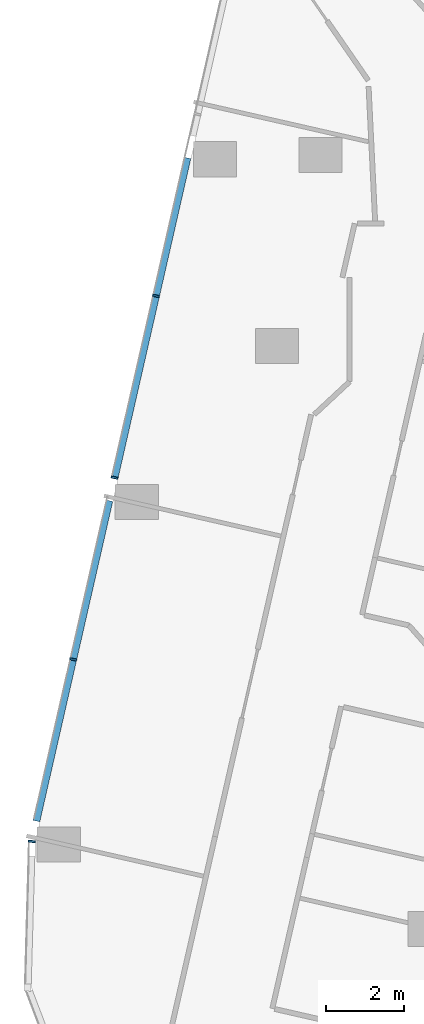
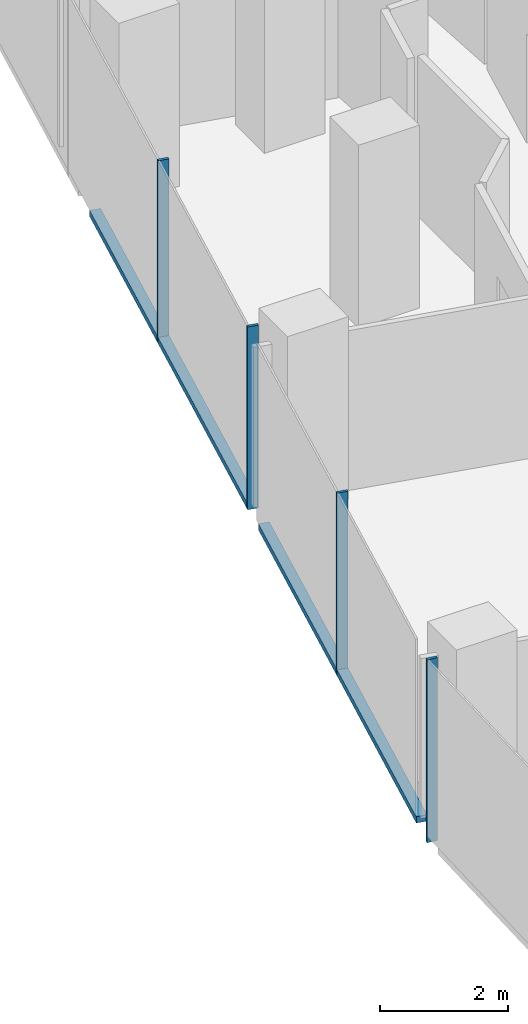
# One storey, part 4 of 23: 6 members, 1 element without a shape of its own.
"""IFC4 building model written with IfcOpenShell, lengths in metres."""

import ifcopenshell
import ifcopenshell.guid

model = None  # the IFC model being written
_history = None  # IfcOwnerHistory: only IFC2X3 demands one
_inside = {}  # id of a spatial element -> (the spatial element, [elements in it])
_under = {}  # id of a project, library or spatial element -> (it, [spatial elements below it])
_declared = {}  # id of a project -> (the project, [libraries it declares])
_typed = {}  # id of a type object -> (the type object, [elements of that type])
_made_of = {}  # id of a material, layer set ... -> (it, [elements and type objects made of it])


def new_model(schema):
    """Start an empty IFC model of exactly this schema.

    Asked for "IFC4X3", IfcOpenShell would pick the latest addendum, in which some entities
    have other attributes; the version numbers below select the first issue.
    IFC2X3 requires an IfcOwnerHistory on every rooted entity: one is made here for all.
    """
    global model, _history
    if schema == "IFC4X3":
        model = ifcopenshell.file(schema_version=(4, 3, 0, 0))
    else:
        model = ifcopenshell.file(schema=schema)
    _inside.clear()
    _under.clear()
    _declared.clear()
    _typed.clear()
    _made_of.clear()
    _history = None
    if model.schema == "IFC2X3":
        org = make("IfcOrganization", Name="unknown")
        user = make(
            "IfcPersonAndOrganization",
            ThePerson=make("IfcPerson", FamilyName="unknown"),
            TheOrganization=org,
        )
        app = make(
            "IfcApplication",
            ApplicationDeveloper=org,
            Version="unknown",
            ApplicationFullName="unknown",
            ApplicationIdentifier="unknown",
        )
        _history = make(
            "IfcOwnerHistory",
            OwningUser=user,
            OwningApplication=app,
            ChangeAction="ADDED",
            CreationDate=0,
        )
    return model


def make(cls, **values):
    """One entity of the class cls with the attributes given. An attribute that is None is left unset."""
    return model.create_entity(
        cls, **{name: value for name, value in values.items() if value is not None}
    )


def rooted(cls, **values):
    """An entity with a GlobalId (a new one), such as an element, a storey or a relation."""
    return make(cls, GlobalId=ifcopenshell.guid.new(), OwnerHistory=_history, **values)


def si_unit(unit_type, name, prefix=None):
    """IfcSIUnit, for example si_unit("LENGTHUNIT", "METRE", prefix="MILLI")."""
    return make("IfcSIUnit", UnitType=unit_type, Prefix=prefix, Name=name)


def assignment(units):
    """IfcUnitAssignment: the units of a project."""
    return None if units is None else make("IfcUnitAssignment", Units=units)


def point(xyz):
    """IfcCartesianPoint."""
    return None if xyz is None else make("IfcCartesianPoint", Coordinates=xyz)


def direction(xyz):
    """IfcDirection."""
    return None if xyz is None else make("IfcDirection", DirectionRatios=xyz)


def frame(location, z_axis=None, x_axis=None):
    """IfcAxis2Placement3D, a coordinate frame: its origin and axes. An axis left out is left unset."""
    return make(
        "IfcAxis2Placement3D",
        Location=point(location),
        Axis=direction(z_axis),
        RefDirection=direction(x_axis),
    )


def frame_2d(location, x_axis=None):
    """IfcAxis2Placement2D, a coordinate frame in the plane: its origin and x axis."""
    return make(
        "IfcAxis2Placement2D", Location=point(location), RefDirection=direction(x_axis)
    )


def origin():
    """The frame at (0, 0, 0) with its axes left unset."""
    return frame((0.0, 0.0, 0.0))


def origin_2d():
    """The frame at (0, 0) in the plane with its x axis left unset."""
    return frame_2d((0.0, 0.0))


def place(relative_to, where):
    """IfcLocalPlacement: puts the frame where relative to a parent placement (None: the world)."""
    return make(
        "IfcLocalPlacement", PlacementRelTo=relative_to, RelativePlacement=where
    )


def context(
    kind, dimensions, precision=None, world=None, true_north=None, identifier=None
):
    """IfcGeometricRepresentationContext, for example the 3D "Model" context."""
    return make(
        "IfcGeometricRepresentationContext",
        ContextIdentifier=identifier,
        ContextType=kind,
        CoordinateSpaceDimension=dimensions,
        Precision=precision,
        WorldCoordinateSystem=world,
        TrueNorth=true_north,
    )


def subcontext(parent, identifier, kind, view, scale=None):
    """IfcGeometricRepresentationSubContext, for example "Body" below "Model"."""
    return make(
        "IfcGeometricRepresentationSubContext",
        ContextIdentifier=identifier,
        ContextType=kind,
        ParentContext=parent,
        TargetScale=scale,
        TargetView=view,
    )


def project(units=None, contexts=None):
    """IfcProject with its units and contexts."""
    return rooted(
        "IfcProject",
        Name="project",
        RepresentationContexts=contexts,
        UnitsInContext=assignment(units),
    )


def spatial(cls, under=None, at=None, **own):
    """A site, building, storey or space (cls), placed at a placement, below another one or the project."""
    s = rooted(cls, ObjectPlacement=at, **own)
    if under is not None:
        _under.setdefault(under.id(), (under, []))[1].append(s)
    return s


def profile(cls, at=None, kind="AREA", **sizes):
    """A parametric profile (cls). Its sizes go by their IFC names, for example OverallWidth=200.0."""
    return make(cls, ProfileType=kind, Position=at, **sizes)


def rectangle(**sizes):
    """IfcRectangleProfileDef."""
    return profile("IfcRectangleProfileDef", **sizes)


def extrude(swept, where, along, depth):
    """IfcExtrudedAreaSolid: the profile swept, set in the frame where, extruded along a direction by depth."""
    return make(
        "IfcExtrudedAreaSolid",
        SweptArea=swept,
        Position=where,
        ExtrudedDirection=direction(along),
        Depth=depth,
    )


def shape(context_of_items, identifier, shape_type, items):
    """IfcShapeRepresentation: the items that make up one representation, for example the "Body"."""
    return make(
        "IfcShapeRepresentation",
        ContextOfItems=context_of_items,
        RepresentationIdentifier=identifier,
        RepresentationType=shape_type,
        Items=items,
    )


def material(Name=None, Category=None):
    """IfcMaterial."""
    return make("IfcMaterial", Name=Name, Category=Category)


def material_profile(
    of_material, cross_section, Name=None, Category=None, Priority=None
):
    """IfcMaterialProfile: a cross section and its material."""
    return make(
        "IfcMaterialProfile",
        Name=Name,
        Material=of_material,
        Profile=cross_section,
        Priority=Priority,
        Category=Category,
    )


def profile_set(profiles, Name=None, composite=None):
    """IfcMaterialProfileSet."""
    return make(
        "IfcMaterialProfileSet",
        Name=Name,
        MaterialProfiles=profiles,
        CompositeProfile=composite,
    )


def made_of(thing, what):
    """Note that an element or type object is made of a material, layer set ...; save() writes the relation."""
    if what is not None:
        _made_of.setdefault(what.id(), (what, []))[1].append(thing)
    return thing


def type_object(cls, material=None, **own):
    """A type object (cls), such as IfcWallType, which elements share."""
    return made_of(rooted(cls, **own), material)


def element(
    cls,
    number,
    at=None,
    inside=None,
    cuts=None,
    type_object=None,
    material=None,
    context=None,
    identifier="Body",
    shape_type=None,
    held_by="IfcProductDefinitionShape",
    body=None,
    shapes=None,
    **own,
):
    """One element of the class cls, such as IfcWall. Its Tag is "e" and its number.

    at: its placement. inside: the storey or other place that contains it. cuts: it is an
    opening in that element (IfcRelVoidsElement). A single representation is given by context,
    identifier, shape_type and body (its items); several are given by shapes. held_by: the class
    of the entity that holds the representations. save() writes the other relations.
    """
    e = rooted(cls, Tag="e%d" % number, ObjectPlacement=at, **own)
    if body is not None:
        shapes = [shape(context, identifier, shape_type, body)]
    if shapes is not None:
        e.Representation = make(held_by, Representations=shapes)
    if inside is not None:
        _inside.setdefault(inside.id(), (inside, []))[1].append(e)
    if cuts is not None:
        rooted(
            "IfcRelVoidsElement", RelatingBuildingElement=cuts, RelatedOpeningElement=e
        )
    if type_object is not None:
        _typed.setdefault(type_object.id(), (type_object, []))[1].append(e)
    return made_of(e, material)


def aggregate(whole, parts):
    """IfcRelAggregates: a whole, such as a stair, and the parts it consists of."""
    return rooted("IfcRelAggregates", RelatingObject=whole, RelatedObjects=parts)


def save(model, path):
    """Write the relations noted so far, then the file.

    IfcRelAggregates (storeys below a building ...), IfcRelContainedInSpatialStructure (elements
    in a storey), IfcRelDefinesByType, IfcRelAssociatesMaterial and IfcRelDeclares: one each for
    every whole, place, type object, material and project.
    """
    for whole, parts in _under.values():
        aggregate(whole, parts)
    for where, things in _inside.values():
        rooted(
            "IfcRelContainedInSpatialStructure",
            RelatedElements=things,
            RelatingStructure=where,
        )
    for kind, things in _typed.values():
        rooted("IfcRelDefinesByType", RelatedObjects=things, RelatingType=kind)
    for what, things in _made_of.values():
        rooted("IfcRelAssociatesMaterial", RelatedObjects=things, RelatingMaterial=what)
    for by, libraries in _declared.values():
        rooted("IfcRelDeclares", RelatingContext=by, RelatedDefinitions=libraries)
    model.write(path)


model = new_model("IFC4")

# Units and contexts
model_context = context("Model", 3, precision=1e-05, world=origin(), true_north=direction((0.0, 1.0)))
body_context = subcontext(model_context, "Body", "Model", "MODEL_VIEW")
ifc_project = project(units=[si_unit("LENGTHUNIT", "METRE"), si_unit("AREAUNIT", "SQUARE_METRE"), si_unit("VOLUMEUNIT", "CUBIC_METRE"), si_unit("PLANEANGLEUNIT", "RADIAN"), si_unit("MASSUNIT", "GRAM", prefix="KILO")], contexts=[model_context])

# Site, building, storey
site_placement = place(None, origin())
site = spatial("IfcSite", under=ifc_project, at=site_placement, CompositionType="ELEMENT")
building_placement = place(site_placement, origin())
building = spatial("IfcBuilding", under=site, at=building_placement, Name="Orlundy Tower", CompositionType="ELEMENT")
storey_placement = place(building_placement, frame((0.0, 0.0, 181.10009765625)))
storey = spatial("IfcBuildingStorey", under=building, at=storey_placement, Name="L47", CompositionType="ELEMENT", Elevation=181.10009765625)

# Curtain wall, members
ifc_material_1 = material(Name="Aluminium bronze anodised", Category="aluminium")
curtain_wall_type = type_object("IfcCurtainWallType", Name="CW1 wall", PredefinedType="NOTDEFINED", material=ifc_material_1)
curtain_wall_placement = place(storey_placement, origin())
curtain_wall = element("IfcCurtainWall", 1, at=curtain_wall_placement, inside=storey, type_object=curtain_wall_type, Name="CW1 run 00", PredefinedType="NOTDEFINED")
ifc_material_2 = material(Name="Aluminium bronze anodised", Category="aluminium")
ifc_material_profile_1 = material_profile(ifc_material_2, rectangle(XDim=0.179931640625, YDim=0.050048828125, at=origin_2d()), Name="CW1 mullion 50x180")
ifc_profile_set_1 = profile_set([ifc_material_profile_1], Name="Aluminium bronze anodised")
member_type_1 = type_object("IfcMemberType", Name="CW1 mullion 50x180", PredefinedType="MULLION", material=ifc_profile_set_1)
member_1_placement = place(storey_placement, frame((-30.917724609375, -45.272705078125, -0.420166015625), z_axis=(0.0, 0.0, 1.0), x_axis=(-0.992087726333, 0.12554657805, 0.0)))
member_1 = element("IfcMember", 2, at=member_1_placement, type_object=member_type_1, Name="CW1 mullion 1", PredefinedType="MULLION", context=body_context, shape_type="SweptSolid", body=[
    extrude(rectangle(XDim=0.179931640625, YDim=0.050048828125, at=origin_2d()), origin(), (0.0, 0.0, 1.0), 3.5),
])
member_2_placement = place(storey_placement, frame((-29.859619140625, -40.62744140625, -0.420166015625), z_axis=(0.0, 0.0, 1.0), x_axis=(-0.97502463614, 0.222096733251, 0.0)))
member_2 = element("IfcMember", 3, at=member_2_placement, type_object=member_type_1, Name="CW1 mullion 2", PredefinedType="MULLION", context=body_context, shape_type="SweptSolid", body=[
    extrude(rectangle(XDim=0.179931640625, YDim=0.050048828125, at=origin_2d()), origin(), (0.0, 0.0, 1.0), 3.5),
])
member_3_placement = place(storey_placement, frame((-28.803466796875, -35.99072265625, -0.420166015625), z_axis=(0.0, 0.0, 1.0), x_axis=(-0.97502463614, 0.222096733251, 0.0)))
member_3 = element("IfcMember", 4, at=member_3_placement, type_object=member_type_1, Name="CW1 mullion 3", PredefinedType="MULLION", context=body_context, shape_type="SweptSolid", body=[
    extrude(rectangle(XDim=0.179931640625, YDim=0.050048828125, at=origin_2d()), origin(), (0.0, 0.0, 1.0), 3.5),
])
member_4_placement = place(storey_placement, frame((-27.747314453125, -31.35400390625, -0.420166015625), z_axis=(0.0, 0.0, 1.0), x_axis=(-0.97502463614, 0.222096733251, 0.0)))
member_4 = element("IfcMember", 5, at=member_4_placement, type_object=member_type_1, Name="CW1 mullion 4", PredefinedType="MULLION", context=body_context, shape_type="SweptSolid", body=[
    extrude(rectangle(XDim=0.179931640625, YDim=0.050048828125, at=origin_2d()), origin(), (0.0, 0.0, 1.0), 3.5),
])
ifc_material_3 = material(Name="Aluminium bronze anodised", Category="aluminium")
ifc_material_profile_2 = material_profile(ifc_material_3, rectangle(XDim=0.179931640625, YDim=0.1201171875, at=origin_2d()), Name="CW1 transom 180x120")
ifc_profile_set_2 = profile_set([ifc_material_profile_2], Name="Aluminium bronze anodised")
member_type_2 = type_object("IfcMemberType", Name="CW1 transom 180x120", PredefinedType="USERDEFINED", material=ifc_profile_set_2)
member_5_placement = place(storey_placement, frame((-30.799072265625, -44.751953125, -0.360107421875), z_axis=(0.222091789756, 0.975025762184, 0.0), x_axis=(-0.975025762184, 0.222091789756, 0.0)))
member_5 = element("IfcMember", 6, at=member_5_placement, type_object=member_type_2, Name="CW1 transom", ObjectType="TRANSOM", PredefinedType="USERDEFINED", context=body_context, shape_type="SweptSolid", body=[
    extrude(rectangle(XDim=0.179931640625, YDim=0.1201171875, at=origin_2d()), origin(), (0.0, 0.0, 1.0), 8.38427734375),
])
member_6_placement = place(storey_placement, frame((-28.8076171875, -36.009033203125, -0.360107421875), z_axis=(0.222090405323, 0.97502607753, 0.0), x_axis=(-0.97502607753, 0.222090405323, 0.0)))
member_6 = element("IfcMember", 7, at=member_6_placement, type_object=member_type_2, Name="CW1 transom", ObjectType="TRANSOM", PredefinedType="USERDEFINED", context=body_context, shape_type="SweptSolid", body=[
    extrude(rectangle(XDim=0.179931640625, YDim=0.1201171875, at=origin_2d()), origin(), (0.0, 0.0, 1.0), 8.386474609375),
])
aggregate(curtain_wall, [member_1, member_2, member_3, member_4, member_5, member_6])

save(model, "model.ifc")
